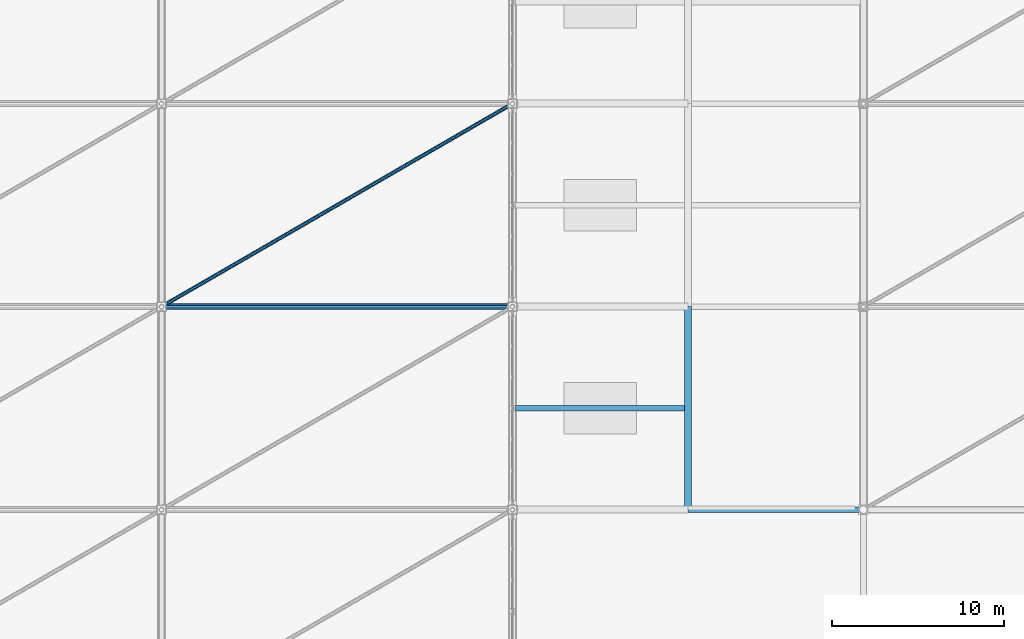
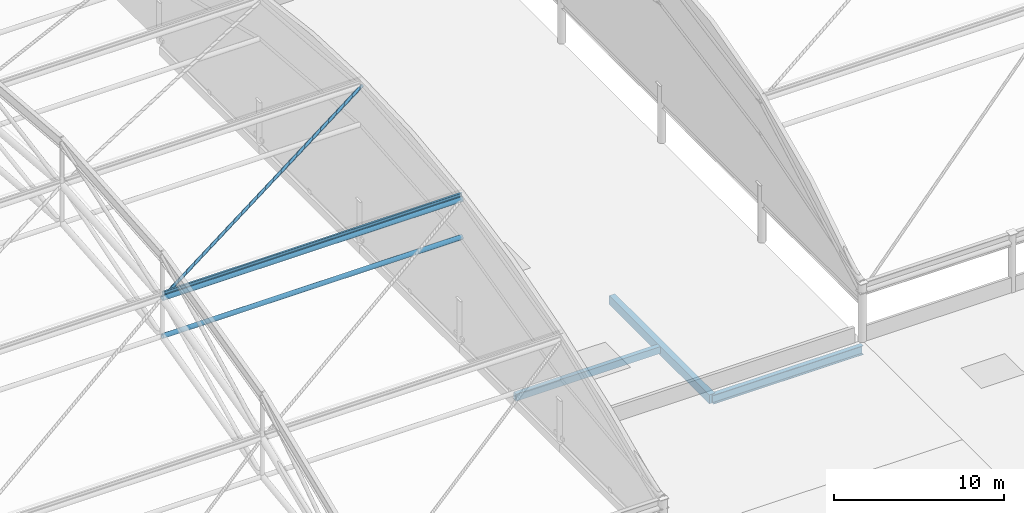
# One storey, part 51 of 135: 4 members, 3 beams.
"""IFC4 building model written with IfcOpenShell, lengths in metres."""

from ifc_helpers import new_model, si_unit, direction, frame, origin, origin_2d, place, context, subcontext, project, spatial, rectangle, hollow_circle, i_section, extrude, material, material_profile, profile_set, type_object, element, save


model = new_model("IFC4")

# Units and contexts
model_context = context("Model", 3, precision=1e-05, world=origin(), true_north=direction((0.0, 1.0)))
body_context = subcontext(model_context, "Body", "Model", "MODEL_VIEW")
ifc_project = project(units=[si_unit("LENGTHUNIT", "METRE"), si_unit("AREAUNIT", "SQUARE_METRE"), si_unit("VOLUMEUNIT", "CUBIC_METRE"), si_unit("PLANEANGLEUNIT", "RADIAN"), si_unit("MASSUNIT", "GRAM", prefix="KILO")], contexts=[model_context])

# Site, building, storey
site_placement = place(None, origin())
site = spatial("IfcSite", under=ifc_project, at=site_placement, CompositionType="ELEMENT")
building_placement = place(site_placement, origin())
building = spatial("IfcBuilding", under=site, at=building_placement, Name="Brelvane Convention Centre", CompositionType="ELEMENT")
storey_placement = place(building_placement, frame((0.0, 0.0, 15.0)))
storey = spatial("IfcBuildingStorey", under=building, at=storey_placement, Name="L03", CompositionType="ELEMENT", Elevation=15.0)

# Beams
ifc_material_1 = material(Name="Concrete M40", Category="concrete")
ifc_material_profile_1 = material_profile(ifc_material_1, rectangle(XDim=0.39990234375, YDim=0.64990234375, at=origin_2d()), Name="RC 400x650")
ifc_profile_set_1 = profile_set([ifc_material_profile_1], Name="Concrete M40")
beam_type_1 = type_object("IfcBeamType", Name="RC Beam B-RC7 (RC 400x650)", PredefinedType="BEAM", material=ifc_profile_set_1)
beam_1_placement = place(storey_placement, frame((153.0, 40.60009765625, -0.625), z_axis=(0.0, 1.0, 0.0), x_axis=(-1.0, 0.0, 0.0)))
element("IfcBeam", 1, at=beam_1_placement, inside=storey, type_object=beam_type_1, Name="L03 Girder 16/E-F", PredefinedType="BEAM", context=body_context, shape_type="SweptSolid", body=[
    extrude(rectangle(XDim=0.39990234375, YDim=0.64990234375, at=origin_2d()), origin(), (0.0, 0.0, 1.0), 11.7998046875),
])
ifc_material_2 = material(Name="Concrete M40", Category="concrete")
ifc_material_profile_2 = material_profile(ifc_material_2, rectangle(XDim=0.300048828125, YDim=0.5, at=origin_2d()), Name="RC 300x500")
ifc_profile_set_2 = profile_set([ifc_material_profile_2], Name="Concrete M40")
beam_type_2 = type_object("IfcBeamType", Name="RC Joist J-RC2 (RC 300x500)", PredefinedType="JOIST", material=ifc_profile_set_2)
beam_2_placement = place(storey_placement, frame((142.97509765625, 46.5, -0.550048828125), z_axis=(1.0, 0.0, 0.0), x_axis=(0.0, 1.0, 0.0)))
element("IfcBeam", 2, at=beam_2_placement, inside=storey, type_object=beam_type_2, Name="L03 Secondary Joist 15-16/EF", PredefinedType="JOIST", context=body_context, shape_type="SweptSolid", body=[
    extrude(rectangle(XDim=0.300048828125, YDim=0.5, at=origin_2d()), origin(), (0.0, 0.0, 1.0), 9.824951171875),
])
ifc_material_3 = material(Name="Steel E350 (350 MPa)", Category="steel")
ifc_material_profile_3 = material_profile(ifc_material_3, i_section(OverallWidth=0.300048828125, OverallDepth=0.64990234375, WebThickness=0.014404296875, FlangeThickness=0.02587890625, FilletRadius=0.02392578125, at=origin_2d()), Name="NPB 650x300")
ifc_profile_set_3 = profile_set([ifc_material_profile_3], Name="Steel E350 (350 MPa)")
beam_type_3 = type_object("IfcBeamType", Name="Steel Beam B-ST4 (NPB 650x300)", PredefinedType="BEAM", material=ifc_profile_set_3)
beam_3_placement = place(storey_placement, frame((153.0, 40.60009765625, -0.625), z_axis=(1.0, 0.0, 0.0), x_axis=(0.0, 1.0, 0.0)))
element("IfcBeam", 3, at=beam_3_placement, inside=storey, type_object=beam_type_3, Name="L03 Beam 16-17/E", PredefinedType="BEAM", context=body_context, shape_type="SweptSolid", body=[
    extrude(i_section(OverallWidth=0.300048828125, OverallDepth=0.64990234375, WebThickness=0.014404296875, FlangeThickness=0.02587890625, FilletRadius=0.02392578125, at=origin_2d()), origin(), (0.0, 0.0, 1.0), 10.199951171875),
])

# Members
ifc_material_4 = material(Name="Steel E350 (350 MPa)", Category="steel")
ifc_material_profile_4 = material_profile(ifc_material_4, hollow_circle(Radius=0.109619140625, WallThickness=0.010009765625, at=origin_2d()), Name="CHS 219.1x10.0")
ifc_profile_set_4 = profile_set([ifc_material_profile_4], Name="Steel E350 (350 MPa)")
member_type_1 = type_object("IfcMemberType", Name="Steel Brace SF-DG2 (CHS 219.1x10.0)", PredefinedType="BRACE", material=ifc_profile_set_4)
member_1_placement = place(storey_placement, frame((122.39990234375, 52.39990234375, 10.162109375), z_axis=(0.864876490486, 0.500270173346, 0.041453707493), x_axis=(-0.500700562715, 0.865620555727, 0.0)))
element("IfcMember", 4, at=member_1_placement, inside=storey, type_object=member_type_1, Name="SF_EXH Roof Diaphragm Brace PB7.3", PredefinedType="BRACE", context=body_context, shape_type="SweptSolid", body=[
    extrude(hollow_circle(Radius=0.109619140625, WallThickness=0.010009765625, at=origin_2d()), origin(), (0.0, 0.0, 1.0), 23.58740234375),
])
ifc_material_5 = material(Name="Steel E350 (350 MPa)", Category="steel")
ifc_material_profile_5 = material_profile(ifc_material_5, hollow_circle(Radius=0.161865234375, WallThickness=0.012451171875, at=origin_2d()), Name="CHS 323.9x12.5")
ifc_profile_set_5 = profile_set([ifc_material_profile_5], Name="Steel E350 (350 MPa)")
member_type_2 = type_object("IfcMemberType", Name="Steel Chord SF-BC2 (CHS 323.9x12.5)", PredefinedType="CHORD", material=ifc_profile_set_5)
member_2_placement = place(storey_placement, frame((122.39990234375, 52.39990234375, 7.422119140625), z_axis=(1.0, 0.0, 0.0), x_axis=(0.0, 1.0, 0.0)))
element("IfcMember", 5, at=member_2_placement, inside=storey, type_object=member_type_2, Name="SF_EXH Longitudinal Bottom Chord LB7.3", PredefinedType="CHORD", context=body_context, shape_type="SweptSolid", body=[
    extrude(hollow_circle(Radius=0.161865234375, WallThickness=0.012451171875, at=origin_2d()), origin(), (0.0, 0.0, 1.0), 20.400146484375),
])
ifc_material_6 = material(Name="Steel E450 (450 MPa)", Category="steel")
ifc_material_profile_6 = material_profile(ifc_material_6, hollow_circle(Radius=0.177734375, WallThickness=0.01611328125, at=origin_2d()), Name="CHS 355.6x16.0")
ifc_profile_set_6 = profile_set([ifc_material_profile_6], Name="Steel E450 (450 MPa)")
member_type_3 = type_object("IfcMemberType", Name="Steel Chord SF-TC2 (CHS 355.6x16.0)", PredefinedType="CHORD", material=ifc_profile_set_6)
member_3_placement = place(storey_placement, frame((122.39990234375, 52.39990234375, 10.162109375), z_axis=(1.0, 0.0, 0.0), x_axis=(0.0, 1.0, 0.0)))
element("IfcMember", 6, at=member_3_placement, inside=storey, type_object=member_type_3, Name="SF_EXH Longitudinal Top Chord LT7.3", PredefinedType="CHORD", context=body_context, shape_type="SweptSolid", body=[
    extrude(hollow_circle(Radius=0.177734375, WallThickness=0.01611328125, at=origin_2d()), origin(), (0.0, 0.0, 1.0), 20.400146484375),
])
ifc_material_7 = material(Name="Steel E350 (350 MPa)", Category="steel")
ifc_material_profile_7 = material_profile(ifc_material_7, i_section(OverallWidth=0.125, OverallDepth=0.25, WebThickness=0.0068359375, FlangeThickness=0.012451171875, FilletRadius=0.012939453125, at=origin_2d()), Name="ISMB 250")
ifc_profile_set_7 = profile_set([ifc_material_profile_7], Name="Steel E350 (350 MPa)")
member_type_4 = type_object("IfcMemberType", Name="Steel Purlin PR-ST1 (ISMB 250)", PredefinedType="PURLIN", material=ifc_profile_set_7)
member_4_placement = place(storey_placement, frame((122.39990234375, 52.39990234375, 10.497314453125), z_axis=(1.0, 0.0, 0.0), x_axis=(0.0, 1.0, 0.0)))
element("IfcMember", 7, at=member_4_placement, inside=storey, type_object=member_type_4, Name="SF_EXH Roof Purlin P7.3", PredefinedType="PURLIN", context=body_context, shape_type="SweptSolid", body=[
    extrude(i_section(OverallWidth=0.125, OverallDepth=0.25, WebThickness=0.0068359375, FlangeThickness=0.012451171875, FilletRadius=0.012939453125, at=origin_2d()), origin(), (0.0, 0.0, 1.0), 20.400146484375),
])

save(model, "model.ifc")
